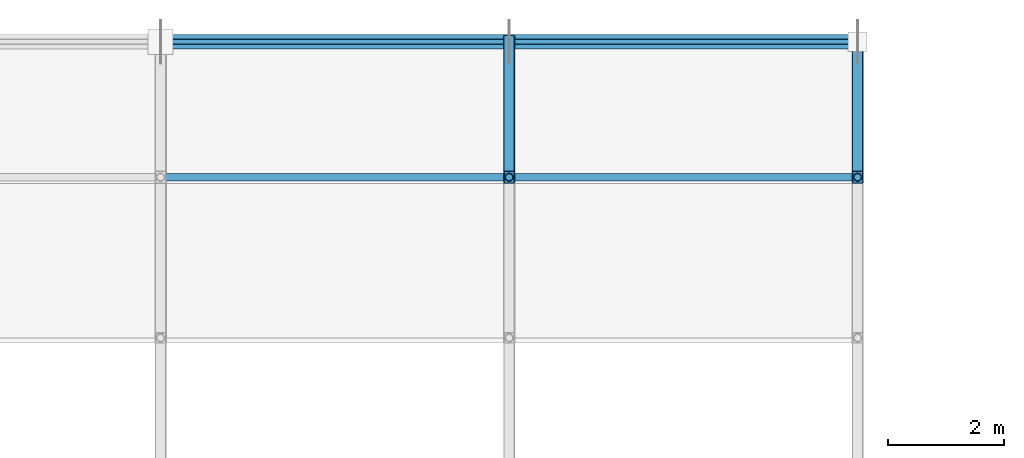
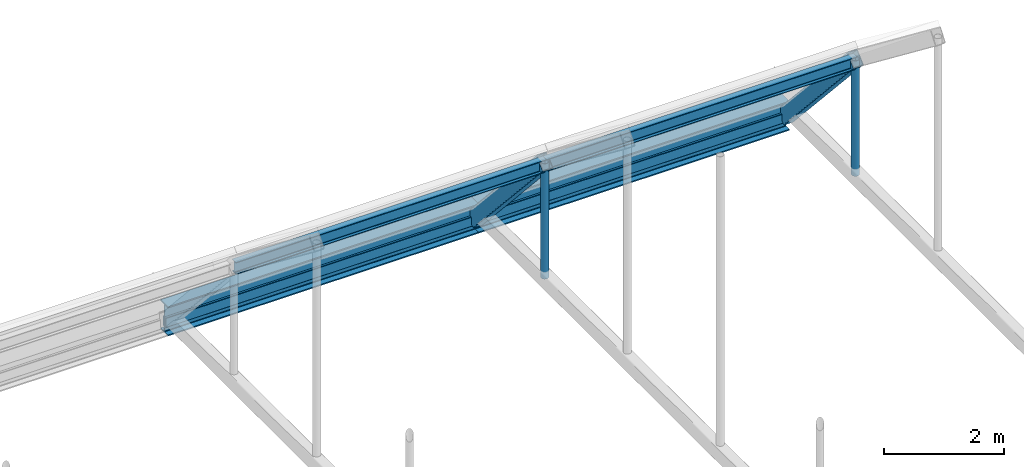
# One storey, part 39 of 63: 6 members, 4 beams.
"""IFC4 building model written with IfcOpenShell, lengths in metres."""

from ifc_helpers import new_model, si_unit, direction, frame, origin, origin_2d, place, context, subcontext, project, spatial, hollow_rectangle, hollow_circle, i_section, extrude, material, material_profile, profile_set, type_object, element, save


model = new_model("IFC4")

# Units and contexts
model_context = context("Model", 3, precision=1e-05, world=origin(), true_north=direction((0.0, 1.0)))
body_context = subcontext(model_context, "Body", "Model", "MODEL_VIEW")
ifc_project = project(units=[si_unit("LENGTHUNIT", "METRE"), si_unit("AREAUNIT", "SQUARE_METRE"), si_unit("VOLUMEUNIT", "CUBIC_METRE"), si_unit("PLANEANGLEUNIT", "RADIAN"), si_unit("MASSUNIT", "GRAM", prefix="KILO")], contexts=[model_context])

# Site, building, storey
site_placement = place(None, origin())
site = spatial("IfcSite", under=ifc_project, at=site_placement, CompositionType="ELEMENT")
building_placement = place(site_placement, origin())
building = spatial("IfcBuilding", under=site, at=building_placement, Name="Varnakota Square Police Headquarters", CompositionType="ELEMENT")
storey_placement = place(building_placement, frame((0.0, 0.0, 22.199951171875)))
storey = spatial("IfcBuildingStorey", under=building, at=storey_placement, Name="L05", CompositionType="ELEMENT", Elevation=22.199951171875)

# Beams
ifc_material = material(Name="Steel IS 2062 Grade 350", Category="steel")
ifc_material_profile_1 = material_profile(ifc_material, i_section(OverallWidth=0.25, OverallDepth=0.60009765625, WebThickness=0.01171875, FlangeThickness=0.023681640625, FilletRadius=0.01708984375, at=origin_2d()), Name="ISWB 600")
ifc_profile_set_1 = profile_set([ifc_material_profile_1], Name="Steel IS 2062 Grade 350")
beam_type_1 = type_object("IfcBeamType", Name="BM-ISWB600", PredefinedType="BEAM", material=ifc_profile_set_1)
for number, where, z_axis, x_axis, name in (
    (1, (84.0, 99.0, -0.300048828125), (1.0, 0.0, 0.0), (0.0, 1.0, 0.0), "Vault V2 north ring beam"),
    (2, (90.0, 99.0, -0.300048828125), (1.0, 0.0, 0.0), (0.0, 1.0, 0.0), "Vault V2 north ring beam"),
):
    element("IfcBeam", number, at=place(storey_placement, frame(where, z_axis=z_axis, x_axis=x_axis)), inside=storey, type_object=beam_type_1, Name=name, PredefinedType="BEAM", context=body_context, shape_type="SweptSolid", body=[
        extrude(i_section(OverallWidth=0.25, OverallDepth=0.60009765625, WebThickness=0.01171875, FlangeThickness=0.023681640625, FilletRadius=0.01708984375, at=origin_2d()), origin(), (0.0, 0.0, 1.0), 6.0),
    ])
ifc_material_profile_2 = material_profile(ifc_material, hollow_rectangle(XDim=0.199951171875, YDim=0.300048828125, WallThickness=0.011962890625, InnerFilletRadius=0.011962890625, OuterFilletRadius=0.02392578125, at=origin_2d()), Name="RHS 300x200x12")
ifc_profile_set_2 = profile_set([ifc_material_profile_2], Name="Steel IS 2062 Grade 350")
beam_type_2 = type_object("IfcBeamType", Name="BM-VR-RHS300", PredefinedType="BEAM", material=ifc_profile_set_2)
for number, where, z_axis, x_axis, name in (
    (3, (90.0, 96.668212890625, 2.20654296875), (0.0, 0.671520631111, -0.740985858159), (-1.0, 0.0, 0.0), "Barrel vault arch rib chord VR-V2-R06-S10"),
    (4, (96.0, 96.668212890625, 2.20654296875), (0.0, 0.671520631111, -0.740985858159), (-1.0, 0.0, 0.0), "Barrel vault arch rib chord VR-V2-R07-S10"),
):
    element("IfcBeam", number, at=place(storey_placement, frame(where, z_axis=z_axis, x_axis=x_axis)), inside=storey, type_object=beam_type_2, Name=name, PredefinedType="BEAM", context=body_context, shape_type="SweptSolid", body=[
        extrude(hollow_rectangle(XDim=0.199951171875, YDim=0.300048828125, WallThickness=0.011962890625, InnerFilletRadius=0.011962890625, OuterFilletRadius=0.02392578125, at=origin_2d()), origin(), (0.0, 0.0, 1.0), 3.472412109375),
    ])

# Members
ifc_material_profile_3 = material_profile(ifc_material, hollow_circle(Radius=0.06982421875, WallThickness=0.006103515625, at=origin_2d()), Name="CHS 139.7x6.0")
ifc_profile_set_3 = profile_set([ifc_material_profile_3], Name="Steel IS 2062 Grade 350")
member_type_1 = type_object("IfcMemberType", Name="MEM-HNG-CHS139", PredefinedType="STRUT", material=ifc_profile_set_3)
for number, where, z_axis, x_axis, name in (
    (5, (90.0, 96.668212890625, -0.14990234375), (0.0, 0.0, 1.0), (1.0, 0.0, 0.0), "Barrel vault hanger strut V2-R06-N9"),
    (6, (96.0, 96.668212890625, -0.14990234375), (0.0, 0.0, 1.0), (1.0, 0.0, 0.0), "Barrel vault hanger strut V2-R07-N9"),
):
    element("IfcMember", number, at=place(storey_placement, frame(where, z_axis=z_axis, x_axis=x_axis)), inside=storey, type_object=member_type_1, Name=name, PredefinedType="STRUT", context=body_context, shape_type="SweptSolid", body=[
        extrude(hollow_circle(Radius=0.06982421875, WallThickness=0.006103515625, at=origin_2d()), origin(), (0.0, 0.0, 1.0), 2.3564453125),
    ])
ifc_material_profile_4 = material_profile(ifc_material, i_section(OverallWidth=0.125, OverallDepth=0.25, WebThickness=0.0068359375, FlangeThickness=0.012451171875, FilletRadius=0.012939453125, at=origin_2d()), Name="ISMB 250")
ifc_profile_set_4 = profile_set([ifc_material_profile_4], Name="Steel IS 2062 Grade 350")
member_type_2 = type_object("IfcMemberType", Name="MEM-PUR-ISMB250", PredefinedType="PURLIN", material=ifc_profile_set_4)
for number, where, z_axis, x_axis, name in (
    (7, (84.0, 96.668212890625, 2.156494140625), (1.0, 0.0, 0.0), (0.0, 1.0, 0.0), "Vault roof purlin V2-B05-N09"),
    (8, (90.0, 96.668212890625, 2.156494140625), (1.0, 0.0, 0.0), (0.0, 1.0, 0.0), "Vault roof purlin V2-B06-N09"),
):
    element("IfcMember", number, at=place(storey_placement, frame(where, z_axis=z_axis, x_axis=x_axis)), inside=storey, type_object=member_type_2, Name=name, PredefinedType="PURLIN", context=body_context, shape_type="SweptSolid", body=[
        extrude(i_section(OverallWidth=0.125, OverallDepth=0.25, WebThickness=0.0068359375, FlangeThickness=0.012451171875, FilletRadius=0.012939453125, at=origin_2d()), origin(), (0.0, 0.0, 1.0), 6.0),
    ])
ifc_material_profile_5 = material_profile(ifc_material, hollow_rectangle(XDim=0.10009765625, YDim=0.199951171875, WallThickness=0.008056640625, InnerFilletRadius=0.008056640625, OuterFilletRadius=0.01611328125, at=origin_2d()), Name="RHS 200x100x8")
ifc_profile_set_5 = profile_set([ifc_material_profile_5], Name="Steel IS 2062 Grade 350")
member_type_3 = type_object("IfcMemberType", Name="MEM-PUR-RHS200", PredefinedType="PURLIN", material=ifc_profile_set_5)
for number, where, z_axis, x_axis, name in (
    (9, (84.0, 99.0, -0.377685546875), (1.0, 0.0, 0.0), (0.0, 1.0, 0.0), "Vault roof purlin V2-B05-N10"),
    (10, (90.0, 99.0, -0.377685546875), (1.0, 0.0, 0.0), (0.0, 1.0, 0.0), "Vault roof purlin V2-B06-N10"),
):
    element("IfcMember", number, at=place(storey_placement, frame(where, z_axis=z_axis, x_axis=x_axis)), inside=storey, type_object=member_type_3, Name=name, PredefinedType="PURLIN", context=body_context, shape_type="SweptSolid", body=[
        extrude(hollow_rectangle(XDim=0.10009765625, YDim=0.199951171875, WallThickness=0.008056640625, InnerFilletRadius=0.008056640625, OuterFilletRadius=0.01611328125, at=origin_2d()), origin(), (0.0, 0.0, 1.0), 6.0),
    ])

save(model, "model.ifc")
